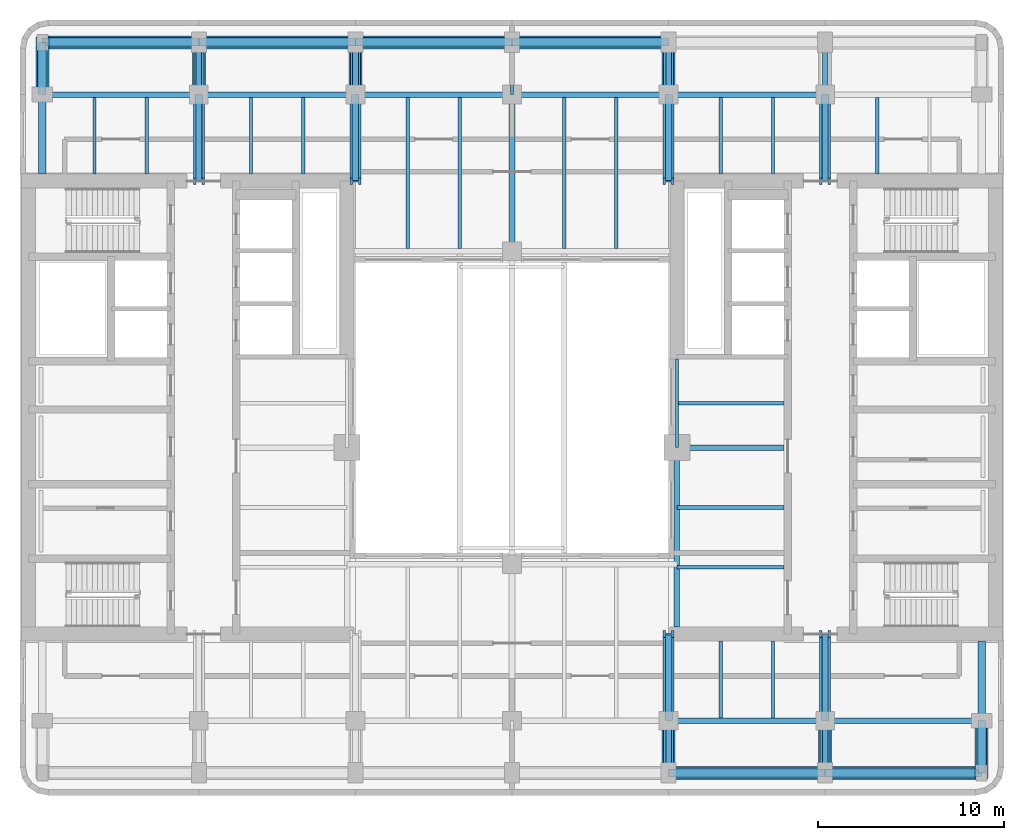
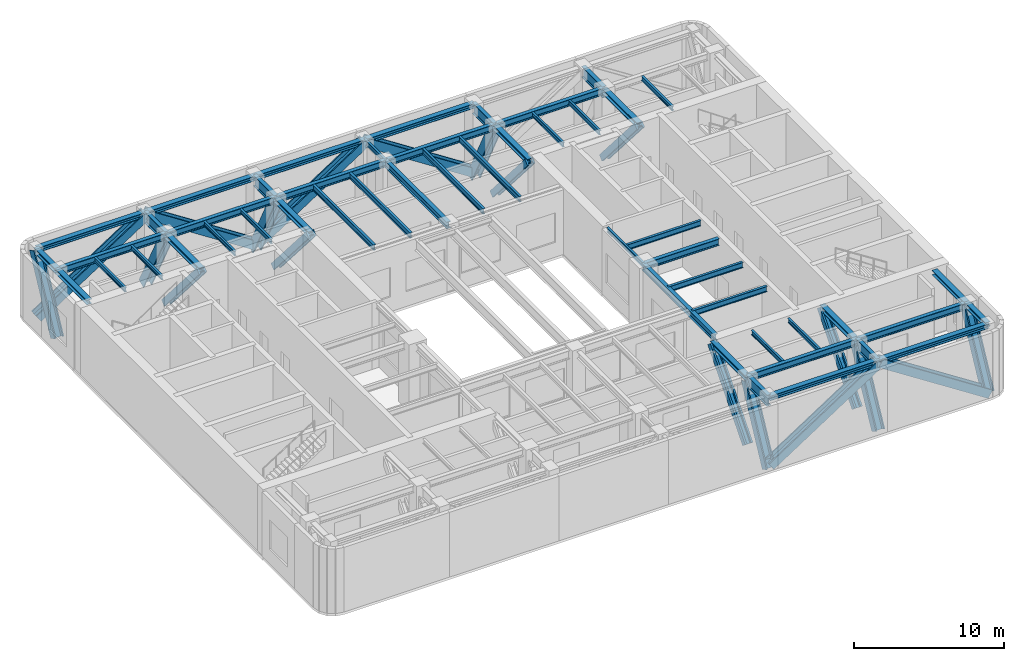
# One storey, part 2 of 10: 50 beams, 19 members.
"""IFC4 building model written with IfcOpenShell, lengths in metres."""

from ifc_helpers import new_model, si_unit, direction, frame, origin, origin_2d, place, context, subcontext, project, spatial, i_section, extrude, material, material_profile, profile_set, type_object, element, save


model = new_model("IFC4")

# Units and contexts
model_context = context("Model", 3, precision=1e-05, world=origin(), true_north=direction((0.0, 1.0)))
body_context = subcontext(model_context, "Body", "Model", "MODEL_VIEW")
ifc_project = project(units=[si_unit("LENGTHUNIT", "METRE"), si_unit("AREAUNIT", "SQUARE_METRE"), si_unit("VOLUMEUNIT", "CUBIC_METRE"), si_unit("PLANEANGLEUNIT", "RADIAN"), si_unit("MASSUNIT", "GRAM", prefix="KILO")], contexts=[model_context])

# Site, building, storey
site_placement = place(None, origin())
site = spatial("IfcSite", under=ifc_project, at=site_placement, CompositionType="ELEMENT")
building_placement = place(site_placement, origin())
building = spatial("IfcBuilding", under=site, at=building_placement, Name="Claustro Exchange Tower", CompositionType="ELEMENT")
storey_placement = place(building_placement, frame((0.0, 0.0, 244.800048828125)))
storey = spatial("IfcBuildingStorey", under=building, at=storey_placement, Name="L56", CompositionType="ELEMENT", Elevation=244.800048828125)

# Beams
ifc_material_1 = material(Name="Steel S355", Category="steel")
ifc_material_profile_1 = material_profile(ifc_material_1, i_section(OverallWidth=0.169921875, OverallDepth=0.360107421875, WebThickness=0.008056640625, FlangeThickness=0.0126953125, FilletRadius=0.01806640625, at=origin_2d()), Name="IPE 360")
ifc_profile_set_1 = profile_set([ifc_material_profile_1], Name="Steel S355")
beam_type_1 = type_object("IfcBeamType", Name="B16 IPE 360 short-span beam", PredefinedType="BEAM", material=ifc_profile_set_1)
beam_1_placement = place(storey_placement, frame((25.199951171875, 42.0, 5.070068359375), z_axis=(0.0, 1.0, 0.0), x_axis=(-1.0, 0.0, 0.0)))
element("IfcBeam", 1, at=beam_1_placement, inside=storey, type_object=beam_type_1, Name="Beam B16 L57", PredefinedType="BEAM", context=body_context, shape_type="SweptSolid", body=[
    extrude(i_section(OverallWidth=0.169921875, OverallDepth=0.360107421875, WebThickness=0.008056640625, FlangeThickness=0.0126953125, FilletRadius=0.01806640625, at=origin_2d()), origin(), (0.0, 0.0, 1.0), 2.800048828125),
])
for number, where, z_axis, x_axis, name in (
    (2, (2.800048828125, 37.72509765625, 5.070068359375), (0.0, 1.0, 0.0), (-1.0, 0.0, 0.0), "Beam B16 L57"),
    (3, (5.60009765625, 37.72509765625, 5.070068359375), (0.0, 1.0, 0.0), (-1.0, 0.0, 0.0), "Beam B16 L57"),
    (4, (11.199951171875, 37.72509765625, 5.070068359375), (0.0, 1.0, 0.0), (-1.0, 0.0, 0.0), "Beam B16 L57"),
    (5, (14.0, 37.72509765625, 5.070068359375), (0.0, 1.0, 0.0), (-1.0, 0.0, 0.0), "Beam B16 L57"),
    (6, (36.39990234375, 8.550048828125, 5.070068359375), (0.0, 1.0, 0.0), (-1.0, 0.0, 0.0), "Beam B16 L57"),
    (7, (39.199951171875, 8.550048828125, 5.070068359375), (0.0, 1.0, 0.0), (-1.0, 0.0, 0.0), "Beam B16 L57"),
    (8, (36.39990234375, 37.72509765625, 5.070068359375), (0.0, 1.0, 0.0), (-1.0, 0.0, 0.0), "Beam B16 L57"),
    (9, (39.199951171875, 37.72509765625, 5.070068359375), (0.0, 1.0, 0.0), (-1.0, 0.0, 0.0), "Beam B16 L57"),
    (10, (44.800048828125, 37.72509765625, 5.070068359375), (0.0, 1.0, 0.0), (-1.0, 0.0, 0.0), "Beam B16 L57"),
):
    element("IfcBeam", number, at=place(storey_placement, frame(where, z_axis=z_axis, x_axis=x_axis)), inside=storey, type_object=beam_type_1, Name=name, PredefinedType="BEAM", context=body_context, shape_type="SweptSolid", body=[
        extrude(i_section(OverallWidth=0.169921875, OverallDepth=0.360107421875, WebThickness=0.008056640625, FlangeThickness=0.0126953125, FilletRadius=0.01806640625, at=origin_2d()), origin(), (0.0, 0.0, 1.0), 4.125),
    ])
beam_2_placement = place(storey_placement, frame((34.050048828125, 23.050048828125, 5.070068359375), z_axis=(0.0, 1.0, 0.0), x_axis=(-1.0, 0.0, 0.0)))
element("IfcBeam", 11, at=beam_2_placement, inside=storey, type_object=beam_type_1, Name="Beam B16 core step framing L57", PredefinedType="BEAM", context=body_context, shape_type="SweptSolid", body=[
    extrude(i_section(OverallWidth=0.169921875, OverallDepth=0.360107421875, WebThickness=0.008056640625, FlangeThickness=0.0126953125, FilletRadius=0.01806640625, at=origin_2d()), origin(), (0.0, 0.0, 1.0), 4.75),
])
ifc_material_2 = material(Name="Steel S355", Category="steel")
ifc_material_profile_2 = material_profile(ifc_material_2, i_section(OverallWidth=0.300048828125, OverallDepth=0.550048828125, WebThickness=0.014892578125, FlangeThickness=0.029052734375, FilletRadius=0.027099609375, at=origin_2d()), Name="HE 550 B")
ifc_profile_set_2 = profile_set([ifc_material_profile_2], Name="Steel S355")
beam_type_2 = type_object("IfcBeamType", Name="B17 HE 550 B floor girder", PredefinedType="BEAM", material=ifc_profile_set_2)
for number, where, z_axis, x_axis, name in (
    (12, (25.199951171875, 33.60009765625, 4.974853515625), (0.0, 1.0, 0.0), (-1.0, 0.0, 0.0), "Beam B17 L57"),
    (13, (33.60009765625, 8.39990234375, 4.974853515625), (1.0, 0.0, 0.0), (0.0, 1.0, 0.0), "Beam B17 L57"),
    (14, (42.0, 8.39990234375, 4.974853515625), (1.0, 0.0, 0.0), (0.0, 1.0, 0.0), "Beam B17 L57"),
    (15, (0.0, 42.0, 4.974853515625), (1.0, 0.0, 0.0), (0.0, 1.0, 0.0), "Beam B17 L57"),
):
    element("IfcBeam", number, at=place(storey_placement, frame(where, z_axis=z_axis, x_axis=x_axis)), inside=storey, type_object=beam_type_2, Name=name, PredefinedType="BEAM", context=body_context, shape_type="SweptSolid", body=[
        extrude(i_section(OverallWidth=0.300048828125, OverallDepth=0.550048828125, WebThickness=0.014892578125, FlangeThickness=0.029052734375, FilletRadius=0.027099609375, at=origin_2d()), origin(), (0.0, 0.0, 1.0), 8.39990234375),
    ])
beam_3_placement = place(storey_placement, frame((8.39990234375, 42.0, 4.974853515625), z_axis=(1.0, 0.0, 0.0), x_axis=(0.0, 1.0, 0.0)))
element("IfcBeam", 16, at=beam_3_placement, inside=storey, type_object=beam_type_2, Name="Beam B17 L57", PredefinedType="BEAM", context=body_context, shape_type="SweptSolid", body=[
    extrude(i_section(OverallWidth=0.300048828125, OverallDepth=0.550048828125, WebThickness=0.014892578125, FlangeThickness=0.029052734375, FilletRadius=0.027099609375, at=origin_2d()), origin(), (0.0, 0.0, 1.0), 8.400146484375),
])
beam_4_placement = place(storey_placement, frame((16.800048828125, 42.0, 4.974853515625), z_axis=(1.0, 0.0, 0.0), x_axis=(0.0, 1.0, 0.0)))
element("IfcBeam", 17, at=beam_4_placement, inside=storey, type_object=beam_type_2, Name="Beam B17 L57", PredefinedType="BEAM", context=body_context, shape_type="SweptSolid", body=[
    extrude(i_section(OverallWidth=0.300048828125, OverallDepth=0.550048828125, WebThickness=0.014892578125, FlangeThickness=0.029052734375, FilletRadius=0.027099609375, at=origin_2d()), origin(), (0.0, 0.0, 1.0), 8.39990234375),
])
beam_5_placement = place(storey_placement, frame((25.199951171875, 42.0, 4.974853515625), z_axis=(1.0, 0.0, 0.0), x_axis=(0.0, 1.0, 0.0)))
element("IfcBeam", 18, at=beam_5_placement, inside=storey, type_object=beam_type_2, Name="Beam B17 L57", PredefinedType="BEAM", context=body_context, shape_type="SweptSolid", body=[
    extrude(i_section(OverallWidth=0.300048828125, OverallDepth=0.550048828125, WebThickness=0.014892578125, FlangeThickness=0.029052734375, FilletRadius=0.027099609375, at=origin_2d()), origin(), (0.0, 0.0, 1.0), 8.400146484375),
])
beam_6_placement = place(storey_placement, frame((33.60009765625, 42.0, 4.974853515625), z_axis=(1.0, 0.0, 0.0), x_axis=(0.0, 1.0, 0.0)))
element("IfcBeam", 19, at=beam_6_placement, inside=storey, type_object=beam_type_2, Name="Beam B17 L57", PredefinedType="BEAM", context=body_context, shape_type="SweptSolid", body=[
    extrude(i_section(OverallWidth=0.300048828125, OverallDepth=0.550048828125, WebThickness=0.014892578125, FlangeThickness=0.029052734375, FilletRadius=0.027099609375, at=origin_2d()), origin(), (0.0, 0.0, 1.0), 8.39990234375),
])
beam_7_placement = place(storey_placement, frame((34.050048828125, 23.050048828125, 4.974853515625), z_axis=(1.0, 0.0, 0.0), x_axis=(0.0, 1.0, 0.0)))
element("IfcBeam", 20, at=beam_7_placement, inside=storey, type_object=beam_type_2, Name="Beam B17 core step framing L57", PredefinedType="BEAM", context=body_context, shape_type="SweptSolid", body=[
    extrude(i_section(OverallWidth=0.300048828125, OverallDepth=0.550048828125, WebThickness=0.014892578125, FlangeThickness=0.029052734375, FilletRadius=0.027099609375, at=origin_2d()), origin(), (0.0, 0.0, 1.0), 5.75),
])
beam_8_placement = place(storey_placement, frame((34.050048828125, 13.425048828125, 4.974853515625), z_axis=(0.0, 1.0, 0.0), x_axis=(-1.0, 0.0, 0.0)))
element("IfcBeam", 21, at=beam_8_placement, inside=storey, type_object=beam_type_2, Name="Beam B17 core step framing L57", PredefinedType="BEAM", context=body_context, shape_type="SweptSolid", body=[
    extrude(i_section(OverallWidth=0.300048828125, OverallDepth=0.550048828125, WebThickness=0.014892578125, FlangeThickness=0.029052734375, FilletRadius=0.027099609375, at=origin_2d()), origin(), (0.0, 0.0, 1.0), 9.625),
])
ifc_material_3 = material(Name="Steel S355", Category="steel")
ifc_material_profile_3 = material_profile(ifc_material_3, i_section(OverallWidth=0.18994140625, OverallDepth=0.449951171875, WebThickness=0.009521484375, FlangeThickness=0.0146484375, FilletRadius=0.02099609375, at=origin_2d()), Name="IPE 450")
ifc_profile_set_3 = profile_set([ifc_material_profile_3], Name="Steel S355")
beam_type_3 = type_object("IfcBeamType", Name="B8 IPE 450 secondary beam", PredefinedType="BEAM", material=ifc_profile_set_3)
for number, where, z_axis, x_axis, name in (
    (22, (19.60009765625, 33.75, 5.02490234375), (0.0, 1.0, 0.0), (-1.0, 0.0, 0.0), "Beam B8 L57"),
    (23, (22.39990234375, 33.75, 5.02490234375), (0.0, 1.0, 0.0), (-1.0, 0.0, 0.0), "Beam B8 L57"),
    (24, (28.0, 33.75, 5.02490234375), (0.0, 1.0, 0.0), (-1.0, 0.0, 0.0), "Beam B8 L57"),
    (25, (30.800048828125, 33.75, 5.02490234375), (0.0, 1.0, 0.0), (-1.0, 0.0, 0.0), "Beam B8 L57"),
):
    element("IfcBeam", number, at=place(storey_placement, frame(where, z_axis=z_axis, x_axis=x_axis)), inside=storey, type_object=beam_type_3, Name=name, PredefinedType="BEAM", context=body_context, shape_type="SweptSolid", body=[
        extrude(i_section(OverallWidth=0.18994140625, OverallDepth=0.449951171875, WebThickness=0.009521484375, FlangeThickness=0.0146484375, FilletRadius=0.02099609375, at=origin_2d()), origin(), (0.0, 0.0, 1.0), 8.10009765625),
    ])
for number, where, z_axis, x_axis, name in (
    (26, (34.050048828125, 16.63330078125, 5.02490234375), (1.0, 0.0, 0.0), (0.0, 1.0, 0.0), "Beam B8 core step framing L57"),
    (27, (34.050048828125, 19.841796875, 5.02490234375), (1.0, 0.0, 0.0), (0.0, 1.0, 0.0), "Beam B8 core step framing L57"),
    (28, (34.050048828125, 25.425048828125, 5.02490234375), (1.0, 0.0, 0.0), (0.0, 1.0, 0.0), "Beam B8 core step framing L57"),
):
    element("IfcBeam", number, at=place(storey_placement, frame(where, z_axis=z_axis, x_axis=x_axis)), inside=storey, type_object=beam_type_3, Name=name, PredefinedType="BEAM", context=body_context, shape_type="SweptSolid", body=[
        extrude(i_section(OverallWidth=0.18994140625, OverallDepth=0.449951171875, WebThickness=0.009521484375, FlangeThickness=0.0146484375, FilletRadius=0.02099609375, at=origin_2d()), origin(), (0.0, 0.0, 1.0), 5.75),
    ])
ifc_material_4 = material(Name="Steel S460", Category="steel")
ifc_material_profile_4 = material_profile(ifc_material_4, i_section(OverallWidth=0.39501953125, OverallDepth=0.3798828125, WebThickness=0.018798828125, FlangeThickness=0.0302734375, FilletRadius=0.014892578125, at=origin_2d()), Name="HD 400x237")
ifc_profile_set_4 = profile_set([ifc_material_profile_4], Name="Steel S460")
beam_type_4 = type_object("IfcBeamType", Name="BT5 HD 400x237 belt truss chord", PredefinedType="BEAM", material=ifc_profile_set_4)
beam_9_placement = place(storey_placement, frame((0.0, 37.72509765625, 5.06005859375), z_axis=(0.0, 1.0, 0.0), x_axis=(-1.0, 0.0, 0.0)))
element("IfcBeam", 29, at=beam_9_placement, inside=storey, type_object=beam_type_4, Name="Beam BT5 L57", PredefinedType="BEAM", context=body_context, shape_type="SweptSolid", body=[
    extrude(i_section(OverallWidth=0.39501953125, OverallDepth=0.3798828125, WebThickness=0.018798828125, FlangeThickness=0.0302734375, FilletRadius=0.014892578125, at=origin_2d()), origin(), (0.0, 0.0, 1.0), 4.27490234375),
])
beam_10_placement = place(storey_placement, frame((0.0, 42.0, 5.06005859375), z_axis=(0.0, 1.0, 0.0), x_axis=(-1.0, 0.0, 0.0)))
element("IfcBeam", 30, at=beam_10_placement, inside=storey, type_object=beam_type_4, Name="Beam BT5 L57", PredefinedType="BEAM", context=body_context, shape_type="SweptSolid", body=[
    extrude(i_section(OverallWidth=0.39501953125, OverallDepth=0.3798828125, WebThickness=0.018798828125, FlangeThickness=0.0302734375, FilletRadius=0.014892578125, at=origin_2d()), origin(), (0.0, 0.0, 1.0), 2.800048828125),
])
beam_11_placement = place(storey_placement, frame((50.39990234375, 5.60009765625, 5.06005859375), z_axis=(0.0, 1.0, 0.0), x_axis=(-1.0, 0.0, 0.0)))
element("IfcBeam", 31, at=beam_11_placement, inside=storey, type_object=beam_type_4, Name="Beam BT5 L57", PredefinedType="BEAM", context=body_context, shape_type="SweptSolid", body=[
    extrude(i_section(OverallWidth=0.39501953125, OverallDepth=0.3798828125, WebThickness=0.018798828125, FlangeThickness=0.0302734375, FilletRadius=0.014892578125, at=origin_2d()), origin(), (0.0, 0.0, 1.0), 2.7998046875),
])
beam_12_placement = place(storey_placement, frame((50.39990234375, 8.39990234375, 5.06005859375), z_axis=(0.0, 1.0, 0.0), x_axis=(-1.0, 0.0, 0.0)))
element("IfcBeam", 32, at=beam_12_placement, inside=storey, type_object=beam_type_4, Name="Beam BT5 L57", PredefinedType="BEAM", context=body_context, shape_type="SweptSolid", body=[
    extrude(i_section(OverallWidth=0.39501953125, OverallDepth=0.3798828125, WebThickness=0.018798828125, FlangeThickness=0.0302734375, FilletRadius=0.014892578125, at=origin_2d()), origin(), (0.0, 0.0, 1.0), 4.275146484375),
])
for number, where, z_axis, x_axis, name in (
    (33, (33.60009765625, 5.60009765625, 5.06005859375), (1.0, 0.0, 0.0), (0.0, 1.0, 0.0), "Beam BT5 L57"),
    (34, (42.0, 5.60009765625, 5.06005859375), (1.0, 0.0, 0.0), (0.0, 1.0, 0.0), "Beam BT5 L57"),
    (35, (0.0, 44.800048828125, 5.06005859375), (1.0, 0.0, 0.0), (0.0, 1.0, 0.0), "Beam BT5 L57"),
):
    element("IfcBeam", number, at=place(storey_placement, frame(where, z_axis=z_axis, x_axis=x_axis)), inside=storey, type_object=beam_type_4, Name=name, PredefinedType="BEAM", context=body_context, shape_type="SweptSolid", body=[
        extrude(i_section(OverallWidth=0.39501953125, OverallDepth=0.3798828125, WebThickness=0.018798828125, FlangeThickness=0.0302734375, FilletRadius=0.014892578125, at=origin_2d()), origin(), (0.0, 0.0, 1.0), 8.39990234375),
    ])
beam_13_placement = place(storey_placement, frame((8.39990234375, 44.800048828125, 5.06005859375), z_axis=(1.0, 0.0, 0.0), x_axis=(0.0, 1.0, 0.0)))
element("IfcBeam", 36, at=beam_13_placement, inside=storey, type_object=beam_type_4, Name="Beam BT5 L57", PredefinedType="BEAM", context=body_context, shape_type="SweptSolid", body=[
    extrude(i_section(OverallWidth=0.39501953125, OverallDepth=0.3798828125, WebThickness=0.018798828125, FlangeThickness=0.0302734375, FilletRadius=0.014892578125, at=origin_2d()), origin(), (0.0, 0.0, 1.0), 8.400146484375),
])
beam_14_placement = place(storey_placement, frame((16.800048828125, 44.800048828125, 5.06005859375), z_axis=(1.0, 0.0, 0.0), x_axis=(0.0, 1.0, 0.0)))
element("IfcBeam", 37, at=beam_14_placement, inside=storey, type_object=beam_type_4, Name="Beam BT5 L57", PredefinedType="BEAM", context=body_context, shape_type="SweptSolid", body=[
    extrude(i_section(OverallWidth=0.39501953125, OverallDepth=0.3798828125, WebThickness=0.018798828125, FlangeThickness=0.0302734375, FilletRadius=0.014892578125, at=origin_2d()), origin(), (0.0, 0.0, 1.0), 8.39990234375),
])
beam_15_placement = place(storey_placement, frame((25.199951171875, 44.800048828125, 5.06005859375), z_axis=(1.0, 0.0, 0.0), x_axis=(0.0, 1.0, 0.0)))
element("IfcBeam", 38, at=beam_15_placement, inside=storey, type_object=beam_type_4, Name="Beam BT5 L57", PredefinedType="BEAM", context=body_context, shape_type="SweptSolid", body=[
    extrude(i_section(OverallWidth=0.39501953125, OverallDepth=0.3798828125, WebThickness=0.018798828125, FlangeThickness=0.0302734375, FilletRadius=0.014892578125, at=origin_2d()), origin(), (0.0, 0.0, 1.0), 8.400146484375),
])

# Members
ifc_material_5 = material(Name="Steel S460", Category="steel")
ifc_material_profile_5 = material_profile(ifc_material_5, i_section(OverallWidth=0.64990234375, OverallDepth=0.699951171875, WebThickness=0.050048828125, FlangeThickness=0.090087890625, at=origin_2d()), Name="PG 700x650")
ifc_profile_set_5 = profile_set([ifc_material_profile_5], Name="Steel S460")
member_type_1 = type_object("IfcMemberType", Name="BT6 PG 700x650 belt truss diagonal", PredefinedType="BRACE", material=ifc_profile_set_5)
for number, where, z_axis, x_axis, name in (
    (39, (33.60009765625, 5.60009765625, -0.39013671875), (0.838887870076, 0.0, 0.544304272847), (-0.544304272847, 0.0, 0.838887870076), "Belt truss diagonal BT6 L56"),
    (40, (50.39990234375, 5.60009765625, -0.39013671875), (-0.838887870076, 0.0, 0.544304272847), (0.544304272847, 0.0, 0.838887870076), "Belt truss diagonal BT6 L56"),
    (41, (0.0, 44.800048828125, -0.39013671875), (0.838887870076, 0.0, 0.544304272847), (-0.544304272847, 0.0, 0.838887870076), "Belt truss diagonal BT6 L56"),
):
    element("IfcMember", number, at=place(storey_placement, frame(where, z_axis=z_axis, x_axis=x_axis)), inside=storey, type_object=member_type_1, Name=name, PredefinedType="BRACE", context=body_context, shape_type="SweptSolid", body=[
        extrude(i_section(OverallWidth=0.64990234375, OverallDepth=0.699951171875, WebThickness=0.050048828125, FlangeThickness=0.090087890625, at=origin_2d()), origin(), (0.0, 0.0, 1.0), 10.01318359375),
    ])
member_1_placement = place(storey_placement, frame((16.800048828125, 44.800048828125, -0.39013671875), z_axis=(-0.838895093446, 0.0, 0.544293139945), x_axis=(0.544293139945, 0.0, 0.838895093446)))
element("IfcMember", 42, at=member_1_placement, inside=storey, type_object=member_type_1, Name="Belt truss diagonal BT6 L56", PredefinedType="BRACE", context=body_context, shape_type="SweptSolid", body=[
    extrude(i_section(OverallWidth=0.64990234375, OverallDepth=0.699951171875, WebThickness=0.050048828125, FlangeThickness=0.090087890625, at=origin_2d()), origin(), (0.0, 0.0, 1.0), 10.013427734375),
])
member_2_placement = place(storey_placement, frame((16.800048828125, 44.800048828125, -0.39013671875), z_axis=(0.838887870076, 0.0, 0.544304272847), x_axis=(-0.544304272847, 0.0, 0.838887870076)))
element("IfcMember", 43, at=member_2_placement, inside=storey, type_object=member_type_1, Name="Belt truss diagonal BT6 L56", PredefinedType="BRACE", context=body_context, shape_type="SweptSolid", body=[
    extrude(i_section(OverallWidth=0.64990234375, OverallDepth=0.699951171875, WebThickness=0.050048828125, FlangeThickness=0.090087890625, at=origin_2d()), origin(), (0.0, 0.0, 1.0), 10.01318359375),
])
member_3_placement = place(storey_placement, frame((33.60009765625, 44.800048828125, -0.39013671875), z_axis=(-0.838895093446, 0.0, 0.544293139945), x_axis=(0.544293139945, 0.0, 0.838895093446)))
element("IfcMember", 44, at=member_3_placement, inside=storey, type_object=member_type_1, Name="Belt truss diagonal BT6 L56", PredefinedType="BRACE", context=body_context, shape_type="SweptSolid", body=[
    extrude(i_section(OverallWidth=0.64990234375, OverallDepth=0.699951171875, WebThickness=0.050048828125, FlangeThickness=0.090087890625, at=origin_2d()), origin(), (0.0, 0.0, 1.0), 10.013427734375),
])
member_4_placement = place(storey_placement, frame((0.0, 42.0, -0.39013671875), z_axis=(0.0, 0.456972552007, 0.889480796146), x_axis=(0.0, -0.889480796146, 0.456972552007)))
element("IfcMember", 45, at=member_4_placement, inside=storey, type_object=member_type_1, Name="Belt truss diagonal BT6 L56", PredefinedType="BRACE", context=body_context, shape_type="SweptSolid", body=[
    extrude(i_section(OverallWidth=0.64990234375, OverallDepth=0.699951171875, WebThickness=0.050048828125, FlangeThickness=0.090087890625, at=origin_2d()), origin(), (0.0, 0.0, 1.0), 6.12744140625),
])
member_5_placement = place(storey_placement, frame((50.39990234375, 5.60009765625, -0.39013671875), z_axis=(0.0, 0.456941027407, 0.889496991266), x_axis=(0.0, -0.889496991266, 0.456941027407)))
element("IfcMember", 46, at=member_5_placement, inside=storey, type_object=member_type_1, Name="Belt truss diagonal BT6 L56", PredefinedType="BRACE", context=body_context, shape_type="SweptSolid", body=[
    extrude(i_section(OverallWidth=0.64990234375, OverallDepth=0.699951171875, WebThickness=0.050048828125, FlangeThickness=0.090087890625, at=origin_2d()), origin(), (0.0, 0.0, 1.0), 6.127197265625),
])

# Beams
ifc_material_6 = material(Name="Steel S460", Category="steel")
ifc_material_profile_6 = material_profile(ifc_material_6, i_section(OverallWidth=0.404052734375, OverallDepth=0.406982421875, WebThickness=0.027099609375, FlangeThickness=0.043701171875, FilletRadius=0.014892578125, at=origin_2d()), Name="HD 400x347")
ifc_profile_set_6 = profile_set([ifc_material_profile_6], Name="Steel S460")
beam_type_5 = type_object("IfcBeamType", Name="OT5 HD 400x347 OUTRIGGER truss chord", PredefinedType="BEAM", material=ifc_profile_set_6)
for number, where, z_axis, x_axis, name in (
    (47, (8.39990234375, 37.35009765625, 4.946533203125), (0.0, 1.0, 0.0), (-1.0, 0.0, 0.0), "Beam OT5 L57"),
    (48, (16.800048828125, 37.35009765625, 4.946533203125), (0.0, 1.0, 0.0), (-1.0, 0.0, 0.0), "Beam OT5 L57"),
):
    element("IfcBeam", number, at=place(storey_placement, frame(where, z_axis=z_axis, x_axis=x_axis)), inside=storey, type_object=beam_type_5, Name=name, PredefinedType="BEAM", context=body_context, shape_type="SweptSolid", body=[
        extrude(i_section(OverallWidth=0.404052734375, OverallDepth=0.406982421875, WebThickness=0.027099609375, FlangeThickness=0.043701171875, FilletRadius=0.014892578125, at=origin_2d()), origin(), (0.0, 0.0, 1.0), 4.64990234375),
    ])
beam_16_placement = place(storey_placement, frame((33.60009765625, 8.39990234375, 4.946533203125), z_axis=(0.0, 1.0, 0.0), x_axis=(-1.0, 0.0, 0.0)))
element("IfcBeam", 49, at=beam_16_placement, inside=storey, type_object=beam_type_5, Name="Beam OT5 L57", PredefinedType="BEAM", context=body_context, shape_type="SweptSolid", body=[
    extrude(i_section(OverallWidth=0.404052734375, OverallDepth=0.406982421875, WebThickness=0.027099609375, FlangeThickness=0.043701171875, FilletRadius=0.014892578125, at=origin_2d()), origin(), (0.0, 0.0, 1.0), 4.650146484375),
])
beam_17_placement = place(storey_placement, frame((33.60009765625, 37.35009765625, 4.946533203125), z_axis=(0.0, 1.0, 0.0), x_axis=(-1.0, 0.0, 0.0)))
element("IfcBeam", 50, at=beam_17_placement, inside=storey, type_object=beam_type_5, Name="Beam OT5 L57", PredefinedType="BEAM", context=body_context, shape_type="SweptSolid", body=[
    extrude(i_section(OverallWidth=0.404052734375, OverallDepth=0.406982421875, WebThickness=0.027099609375, FlangeThickness=0.043701171875, FilletRadius=0.014892578125, at=origin_2d()), origin(), (0.0, 0.0, 1.0), 4.64990234375),
])
beam_18_placement = place(storey_placement, frame((42.0, 8.39990234375, 4.946533203125), z_axis=(0.0, 1.0, 0.0), x_axis=(-1.0, 0.0, 0.0)))
element("IfcBeam", 51, at=beam_18_placement, inside=storey, type_object=beam_type_5, Name="Beam OT5 L57", PredefinedType="BEAM", context=body_context, shape_type="SweptSolid", body=[
    extrude(i_section(OverallWidth=0.404052734375, OverallDepth=0.406982421875, WebThickness=0.027099609375, FlangeThickness=0.043701171875, FilletRadius=0.014892578125, at=origin_2d()), origin(), (0.0, 0.0, 1.0), 4.650146484375),
])
beam_19_placement = place(storey_placement, frame((42.0, 37.35009765625, 4.946533203125), z_axis=(0.0, 1.0, 0.0), x_axis=(-1.0, 0.0, 0.0)))
element("IfcBeam", 52, at=beam_19_placement, inside=storey, type_object=beam_type_5, Name="Beam OT5 L57", PredefinedType="BEAM", context=body_context, shape_type="SweptSolid", body=[
    extrude(i_section(OverallWidth=0.404052734375, OverallDepth=0.406982421875, WebThickness=0.027099609375, FlangeThickness=0.043701171875, FilletRadius=0.014892578125, at=origin_2d()), origin(), (0.0, 0.0, 1.0), 4.64990234375),
])

# Members
ifc_material_7 = material(Name="Steel S460", Category="steel")
ifc_material_profile_7 = material_profile(ifc_material_7, i_section(OverallWidth=0.47607421875, OverallDepth=0.60009765625, WebThickness=0.10009765625, FlangeThickness=0.139892578125, FilletRadius=0.014892578125, at=origin_2d()), Name="HD 400x1299")
ifc_profile_set_7 = profile_set([ifc_material_profile_7], Name="Steel S460")
member_type_2 = type_object("IfcMemberType", Name="OT6 HD 400x1299 OUTRIGGER truss diagonal", PredefinedType="BRACE", material=ifc_profile_set_7)
for number, where, z_axis, x_axis, name in (
    (53, (8.39990234375, 42.0, -0.45361328125), (0.0, -0.652505102298, 0.757784330449), (0.0, 0.757784330449, 0.652505102298), "Outrigger truss diagonal OT6 L56"),
    (54, (16.800048828125, 42.0, -0.45361328125), (0.0, -0.652505102298, 0.757784330449), (0.0, 0.757784330449, 0.652505102298), "Outrigger truss diagonal OT6 L56"),
):
    element("IfcMember", number, at=place(storey_placement, frame(where, z_axis=z_axis, x_axis=x_axis)), inside=storey, type_object=member_type_2, Name=name, PredefinedType="BRACE", context=body_context, shape_type="SweptSolid", body=[
        extrude(i_section(OverallWidth=0.47607421875, OverallDepth=0.60009765625, WebThickness=0.10009765625, FlangeThickness=0.139892578125, FilletRadius=0.014892578125, at=origin_2d()), origin(), (0.0, 0.0, 1.0), 7.126220703125),
    ])
member_6_placement = place(storey_placement, frame((33.60009765625, 8.39990234375, -0.45361328125), z_axis=(0.0, 0.652524774674, 0.757767390719), x_axis=(0.0, -0.757767390719, 0.652524774674)))
element("IfcMember", 55, at=member_6_placement, inside=storey, type_object=member_type_2, Name="Outrigger truss diagonal OT6 L56", PredefinedType="BRACE", context=body_context, shape_type="SweptSolid", body=[
    extrude(i_section(OverallWidth=0.47607421875, OverallDepth=0.60009765625, WebThickness=0.10009765625, FlangeThickness=0.139892578125, FilletRadius=0.014892578125, at=origin_2d()), origin(), (0.0, 0.0, 1.0), 7.12646484375),
])
member_7_placement = place(storey_placement, frame((33.60009765625, 42.0, -0.45361328125), z_axis=(0.0, -0.652505102298, 0.757784330449), x_axis=(0.0, 0.757784330449, 0.652505102298)))
element("IfcMember", 56, at=member_7_placement, inside=storey, type_object=member_type_2, Name="Outrigger truss diagonal OT6 L56", PredefinedType="BRACE", context=body_context, shape_type="SweptSolid", body=[
    extrude(i_section(OverallWidth=0.47607421875, OverallDepth=0.60009765625, WebThickness=0.10009765625, FlangeThickness=0.139892578125, FilletRadius=0.014892578125, at=origin_2d()), origin(), (0.0, 0.0, 1.0), 7.126220703125),
])
member_8_placement = place(storey_placement, frame((42.0, 8.39990234375, -0.45361328125), z_axis=(0.0, 0.652524774674, 0.757767390719), x_axis=(0.0, -0.757767390719, 0.652524774674)))
element("IfcMember", 57, at=member_8_placement, inside=storey, type_object=member_type_2, Name="Outrigger truss diagonal OT6 L56", PredefinedType="BRACE", context=body_context, shape_type="SweptSolid", body=[
    extrude(i_section(OverallWidth=0.47607421875, OverallDepth=0.60009765625, WebThickness=0.10009765625, FlangeThickness=0.139892578125, FilletRadius=0.014892578125, at=origin_2d()), origin(), (0.0, 0.0, 1.0), 7.12646484375),
])
member_9_placement = place(storey_placement, frame((42.0, 42.0, -0.45361328125), z_axis=(0.0, -0.652505102298, 0.757784330449), x_axis=(0.0, 0.757784330449, 0.652505102298)))
element("IfcMember", 58, at=member_9_placement, inside=storey, type_object=member_type_2, Name="Outrigger truss diagonal OT6 L56", PredefinedType="BRACE", context=body_context, shape_type="SweptSolid", body=[
    extrude(i_section(OverallWidth=0.47607421875, OverallDepth=0.60009765625, WebThickness=0.10009765625, FlangeThickness=0.139892578125, FilletRadius=0.014892578125, at=origin_2d()), origin(), (0.0, 0.0, 1.0), 7.126220703125),
])
ifc_material_8 = material(Name="Steel S460", Category="steel")
ifc_material_profile_8 = material_profile(ifc_material_8, i_section(OverallWidth=0.64990234375, OverallDepth=0.699951171875, WebThickness=0.050048828125, FlangeThickness=0.090087890625, at=origin_2d()), Name="PG 700x650")
ifc_profile_set_8 = profile_set([ifc_material_profile_8], Name="Steel S460")
member_type_3 = type_object("IfcMemberType", Name="OT7 PG 700x650 OUTRIGGER extension diagonal", PredefinedType="BRACE", material=ifc_profile_set_8)
member_10_placement = place(storey_placement, frame((8.39990234375, 44.800048828125, -0.550048828125), z_axis=(0.0, -0.463697263021, 0.885993706674), x_axis=(0.0, 0.885993706674, 0.463697263021)))
element("IfcMember", 59, at=member_10_placement, inside=storey, type_object=member_type_3, Name="Outrigger extension diagonal OT7 L56", PredefinedType="BRACE", context=body_context, shape_type="SweptSolid", body=[
    extrude(i_section(OverallWidth=0.64990234375, OverallDepth=0.699951171875, WebThickness=0.050048828125, FlangeThickness=0.090087890625, at=origin_2d()), origin(), (0.0, 0.0, 1.0), 6.03857421875),
])
member_11_placement = place(storey_placement, frame((16.800048828125, 44.800048828125, -0.7041015625), z_axis=(0.0, -0.453417573761, 0.891298212612), x_axis=(0.0, 0.891298212612, 0.453417573761)))
element("IfcMember", 60, at=member_11_placement, inside=storey, type_object=member_type_3, Name="Outrigger extension diagonal OT7 L56", PredefinedType="BRACE", context=body_context, shape_type="SweptSolid", body=[
    extrude(i_section(OverallWidth=0.64990234375, OverallDepth=0.699951171875, WebThickness=0.050048828125, FlangeThickness=0.090087890625, at=origin_2d()), origin(), (0.0, 0.0, 1.0), 6.175537109375),
])
member_12_placement = place(storey_placement, frame((33.60009765625, 5.60009765625, -0.7041015625), z_axis=(0.0, 0.453386166465, 0.891314189306), x_axis=(0.0, -0.891314189306, 0.453386166465)))
element("IfcMember", 61, at=member_12_placement, inside=storey, type_object=member_type_3, Name="Outrigger extension diagonal OT7 L56", PredefinedType="BRACE", context=body_context, shape_type="SweptSolid", body=[
    extrude(i_section(OverallWidth=0.64990234375, OverallDepth=0.699951171875, WebThickness=0.050048828125, FlangeThickness=0.090087890625, at=origin_2d()), origin(), (0.0, 0.0, 1.0), 6.17529296875),
])
member_13_placement = place(storey_placement, frame((33.60009765625, 44.800048828125, -0.7041015625), z_axis=(0.0, -0.453417573761, 0.891298212612), x_axis=(0.0, 0.891298212612, 0.453417573761)))
element("IfcMember", 62, at=member_13_placement, inside=storey, type_object=member_type_3, Name="Outrigger extension diagonal OT7 L56", PredefinedType="BRACE", context=body_context, shape_type="SweptSolid", body=[
    extrude(i_section(OverallWidth=0.64990234375, OverallDepth=0.699951171875, WebThickness=0.050048828125, FlangeThickness=0.090087890625, at=origin_2d()), origin(), (0.0, 0.0, 1.0), 6.175537109375),
])
member_14_placement = place(storey_placement, frame((42.0, 5.60009765625, -0.550048828125), z_axis=(0.0, 0.463665524809, 0.88601031659), x_axis=(0.0, -0.88601031659, 0.463665524809)))
element("IfcMember", 63, at=member_14_placement, inside=storey, type_object=member_type_3, Name="Outrigger extension diagonal OT7 L56", PredefinedType="BRACE", context=body_context, shape_type="SweptSolid", body=[
    extrude(i_section(OverallWidth=0.64990234375, OverallDepth=0.699951171875, WebThickness=0.050048828125, FlangeThickness=0.090087890625, at=origin_2d()), origin(), (0.0, 0.0, 1.0), 6.038330078125),
])

# Beams
ifc_material_9 = material(Name="Steel S355", Category="steel")
ifc_material_profile_9 = material_profile(ifc_material_9, i_section(OverallWidth=0.300048828125, OverallDepth=0.89990234375, WebThickness=0.0185546875, FlangeThickness=0.034912109375, FilletRadius=0.030029296875, at=origin_2d()), Name="HE 900 B")
ifc_profile_set_9 = profile_set([ifc_material_profile_9], Name="Steel S355")
beam_type_6 = type_object("IfcBeamType", Name="OT8 HE 900 B OUTRIGGER extension chord", PredefinedType="BEAM", material=ifc_profile_set_9)
for number, where, z_axis, x_axis, name in (
    (64, (8.39990234375, 42.0, 4.800048828125), (0.0, 1.0, 0.0), (-1.0, 0.0, 0.0), "Beam OT8 L57"),
    (65, (16.800048828125, 42.0, 4.800048828125), (0.0, 1.0, 0.0), (-1.0, 0.0, 0.0), "Beam OT8 L57"),
):
    element("IfcBeam", number, at=place(storey_placement, frame(where, z_axis=z_axis, x_axis=x_axis)), inside=storey, type_object=beam_type_6, Name=name, PredefinedType="BEAM", context=body_context, shape_type="SweptSolid", body=[
        extrude(i_section(OverallWidth=0.300048828125, OverallDepth=0.89990234375, WebThickness=0.0185546875, FlangeThickness=0.034912109375, FilletRadius=0.030029296875, at=origin_2d()), origin(), (0.0, 0.0, 1.0), 2.800048828125),
    ])
beam_20_placement = place(storey_placement, frame((33.60009765625, 5.60009765625, 4.800048828125), z_axis=(0.0, 1.0, 0.0), x_axis=(-1.0, 0.0, 0.0)))
element("IfcBeam", 66, at=beam_20_placement, inside=storey, type_object=beam_type_6, Name="Beam OT8 L57", PredefinedType="BEAM", context=body_context, shape_type="SweptSolid", body=[
    extrude(i_section(OverallWidth=0.300048828125, OverallDepth=0.89990234375, WebThickness=0.0185546875, FlangeThickness=0.034912109375, FilletRadius=0.030029296875, at=origin_2d()), origin(), (0.0, 0.0, 1.0), 2.7998046875),
])
beam_21_placement = place(storey_placement, frame((33.60009765625, 42.0, 4.800048828125), z_axis=(0.0, 1.0, 0.0), x_axis=(-1.0, 0.0, 0.0)))
element("IfcBeam", 67, at=beam_21_placement, inside=storey, type_object=beam_type_6, Name="Beam OT8 L57", PredefinedType="BEAM", context=body_context, shape_type="SweptSolid", body=[
    extrude(i_section(OverallWidth=0.300048828125, OverallDepth=0.89990234375, WebThickness=0.0185546875, FlangeThickness=0.034912109375, FilletRadius=0.030029296875, at=origin_2d()), origin(), (0.0, 0.0, 1.0), 2.800048828125),
])
beam_22_placement = place(storey_placement, frame((42.0, 5.60009765625, 4.800048828125), z_axis=(0.0, 1.0, 0.0), x_axis=(-1.0, 0.0, 0.0)))
element("IfcBeam", 68, at=beam_22_placement, inside=storey, type_object=beam_type_6, Name="Beam OT8 L57", PredefinedType="BEAM", context=body_context, shape_type="SweptSolid", body=[
    extrude(i_section(OverallWidth=0.300048828125, OverallDepth=0.89990234375, WebThickness=0.0185546875, FlangeThickness=0.034912109375, FilletRadius=0.030029296875, at=origin_2d()), origin(), (0.0, 0.0, 1.0), 2.7998046875),
])
beam_23_placement = place(storey_placement, frame((42.0, 42.0, 4.800048828125), z_axis=(0.0, 1.0, 0.0), x_axis=(-1.0, 0.0, 0.0)))
element("IfcBeam", 69, at=beam_23_placement, inside=storey, type_object=beam_type_6, Name="Beam OT8 L57", PredefinedType="BEAM", context=body_context, shape_type="SweptSolid", body=[
    extrude(i_section(OverallWidth=0.300048828125, OverallDepth=0.89990234375, WebThickness=0.0185546875, FlangeThickness=0.034912109375, FilletRadius=0.030029296875, at=origin_2d()), origin(), (0.0, 0.0, 1.0), 2.800048828125),
])

save(model, "model.ifc")
